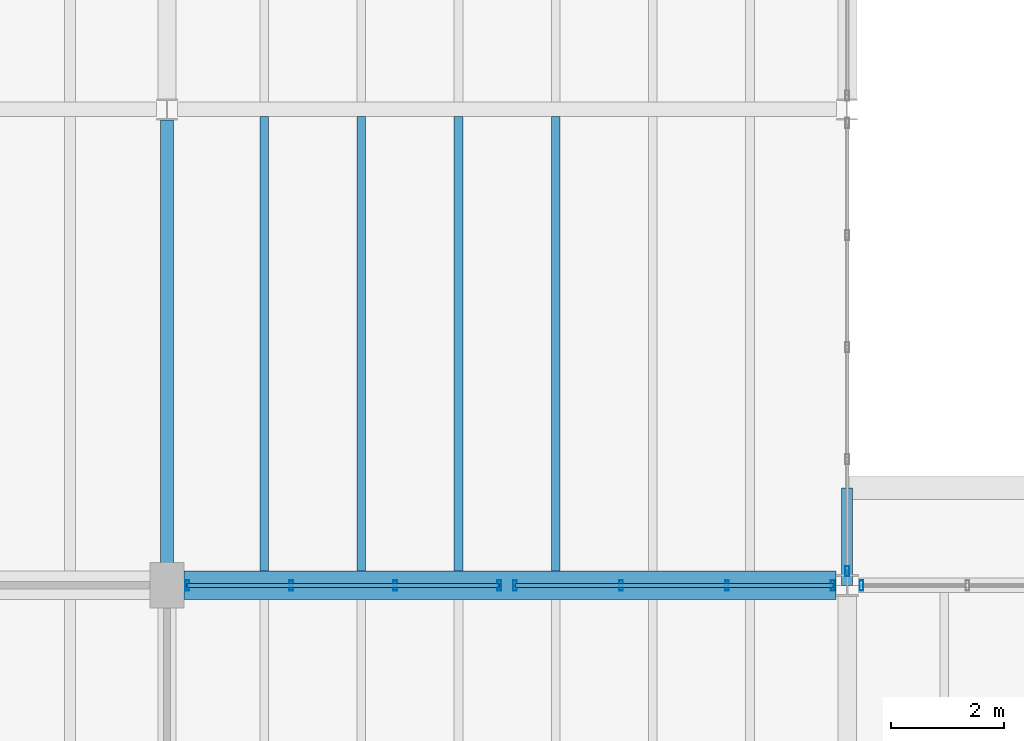
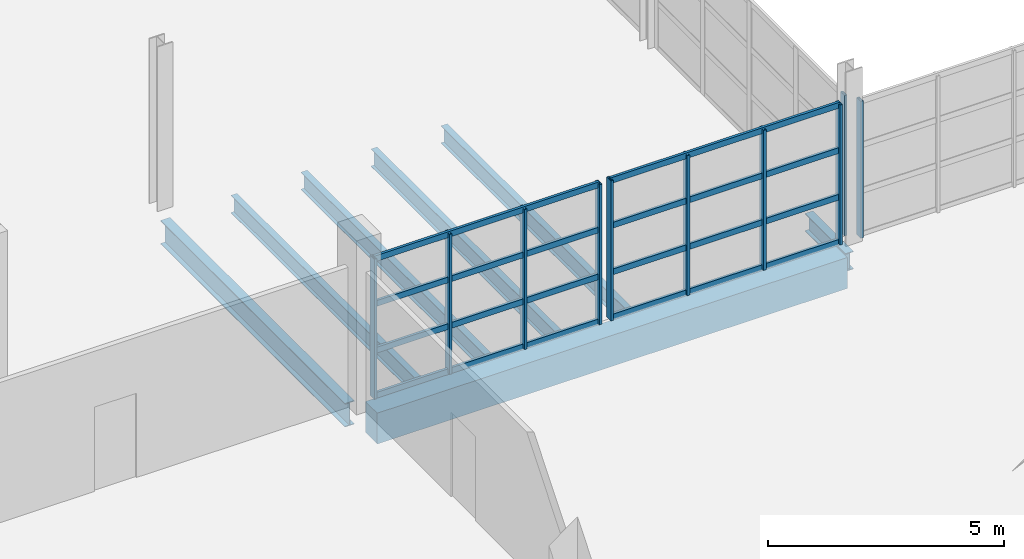
# One storey, part 23 of 114: 18 members, 7 beams, 4 elements without a shape of their own.
"""IFC4 building model written with IfcOpenShell, lengths in metres."""

from ifc_helpers import new_model, si_unit, direction, frame, origin, origin_2d, place, context, subcontext, project, spatial, rectangle, hollow_rectangle, i_section, extrude, material, material_profile, profile_set, type_object, element, aggregate, save


model = new_model("IFC4")

# Units and contexts
model_context = context("Model", 3, precision=1e-05, world=origin(), true_north=direction((0.0, 1.0)))
body_context = subcontext(model_context, "Body", "Model", "MODEL_VIEW")
ifc_project = project(units=[si_unit("LENGTHUNIT", "METRE"), si_unit("AREAUNIT", "SQUARE_METRE"), si_unit("VOLUMEUNIT", "CUBIC_METRE"), si_unit("PLANEANGLEUNIT", "RADIAN"), si_unit("MASSUNIT", "GRAM", prefix="KILO")], contexts=[model_context])

# Site, building, storey
site_placement = place(None, origin())
site = spatial("IfcSite", under=ifc_project, at=site_placement, CompositionType="ELEMENT")
building_placement = place(site_placement, origin())
building = spatial("IfcBuilding", under=site, at=building_placement, Name="Kelmvaro Bay Concert Hall", CompositionType="ELEMENT")
storey_placement = place(building_placement, frame((0.0, 0.0, 4.800048828125)))
storey = spatial("IfcBuildingStorey", under=building, at=storey_placement, Name="L01", CompositionType="ELEMENT", Elevation=4.800048828125)

# Beam
ifc_material_1 = material(Name="Steel ASTM A992 Grade 50", Category="steel")
ifc_material_profile_1 = material_profile(ifc_material_1, i_section(OverallWidth=0.19189453125, OverallDepth=0.4619140625, WebThickness=0.010498046875, FlangeThickness=0.017578125, at=origin_2d()), Name="W18X60")
ifc_profile_set_1 = profile_set([ifc_material_profile_1], Name="Steel ASTM A992 Grade 50")
beam_type_1 = type_object("IfcBeamType", Name="Canopy Primary Frame Beam W18x60", PredefinedType="BEAM", material=ifc_profile_set_1)
beam_1_placement = place(storey_placement, frame((60.0, 39.0, -0.571044921875), z_axis=(0.0, 1.0, 0.0), x_axis=(-1.0, 0.0, 0.0)))
element("IfcBeam", 1, at=beam_1_placement, inside=storey, type_object=beam_type_1, Name="Storm Eave Cantilever Bracket CRT-15", PredefinedType="BEAM", context=body_context, shape_type="SweptSolid", body=[
    extrude(i_section(OverallWidth=0.19189453125, OverallDepth=0.4619140625, WebThickness=0.010498046875, FlangeThickness=0.017578125, at=origin_2d()), origin(), (0.0, 0.0, 1.0), 1.719970703125),
])

# Curtain wall, members
ifc_material_2 = material(Name="Anodised Aluminium and Low-E Insulated Glazing", Category="aluminium")
curtain_wall_type_1 = type_object("IfcCurtainWallType", Name="Mezzanine Concourse Curtain Wall 4100", PredefinedType="USERDEFINED", material=ifc_material_2)
curtain_wall_1_placement = place(storey_placement, origin())
curtain_wall_1 = element("IfcCurtainWall", 2, at=curtain_wall_1_placement, inside=storey, type_object=curtain_wall_type_1, Name="Unitised Curtain Wall CW-L01-066", ObjectType="UNITISED GLAZING", PredefinedType="USERDEFINED")
ifc_material_3 = material(Name="Anodised Extruded Aluminium 6063-T6", Category="aluminium")
ifc_material_profile_2 = material_profile(ifc_material_3, hollow_rectangle(XDim=0.06494140625, YDim=0.179931640625, WallThickness=0.00390625, at=origin_2d()), Name="ALU-MUL-180X65")
ifc_profile_set_2 = profile_set([ifc_material_profile_2], Name="Anodised Extruded Aluminium 6063-T6")
member_type_1 = type_object("IfcMemberType", Name="Curtain Mullion ALU 180x65", PredefinedType="MULLION", material=ifc_profile_set_2)
member_1_placement = place(storey_placement, frame((48.35498046875, 39.0, 0.0), z_axis=(0.0, 0.0, 1.0), x_axis=(1.0, 0.0, 0.0)))
member_1 = element("IfcMember", 3, at=member_1_placement, type_object=member_type_1, Name="CW-L01-066 Mullion 01", PredefinedType="MULLION", context=body_context, shape_type="SweptSolid", body=[
    extrude(hollow_rectangle(XDim=0.06494140625, YDim=0.179931640625, WallThickness=0.00390625, at=origin_2d()), origin(), (0.0, 0.0, 1.0), 3.623046875),
])
member_2_placement = place(storey_placement, frame((50.18994140625, 39.0, 0.0), z_axis=(0.0, 0.0, 1.0), x_axis=(1.0, 0.0, 0.0)))
member_2 = element("IfcMember", 4, at=member_2_placement, type_object=member_type_1, Name="CW-L01-066 Mullion 02", PredefinedType="MULLION", context=body_context, shape_type="SweptSolid", body=[
    extrude(hollow_rectangle(XDim=0.06494140625, YDim=0.179931640625, WallThickness=0.00390625, at=origin_2d()), origin(), (0.0, 0.0, 1.0), 3.623046875),
])
member_3_placement = place(storey_placement, frame((52.02490234375, 39.0, 0.0), z_axis=(0.0, 0.0, 1.0), x_axis=(1.0, 0.0, 0.0)))
member_3 = element("IfcMember", 5, at=member_3_placement, type_object=member_type_1, Name="CW-L01-066 Mullion 03", PredefinedType="MULLION", context=body_context, shape_type="SweptSolid", body=[
    extrude(hollow_rectangle(XDim=0.06494140625, YDim=0.179931640625, WallThickness=0.00390625, at=origin_2d()), origin(), (0.0, 0.0, 1.0), 3.623046875),
])
member_4_placement = place(storey_placement, frame((53.860107421875, 39.0, 0.0), z_axis=(0.0, 0.0, 1.0), x_axis=(1.0, 0.0, 0.0)))
member_4 = element("IfcMember", 6, at=member_4_placement, type_object=member_type_1, Name="CW-L01-066 Mullion 04", PredefinedType="MULLION", context=body_context, shape_type="SweptSolid", body=[
    extrude(hollow_rectangle(XDim=0.06494140625, YDim=0.179931640625, WallThickness=0.00390625, at=origin_2d()), origin(), (0.0, 0.0, 1.0), 3.623046875),
])

curtain_wall_2_placement = place(storey_placement, origin())
curtain_wall_2 = element("IfcCurtainWall", 7, at=curtain_wall_2_placement, inside=storey, type_object=curtain_wall_type_1, Name="Unitised Curtain Wall CW-L01-067", ObjectType="UNITISED GLAZING", PredefinedType="USERDEFINED")
member_5_placement = place(storey_placement, frame((54.139892578125, 39.0, 0.0), z_axis=(0.0, 0.0, 1.0), x_axis=(1.0, 0.0, 0.0)))
member_5 = element("IfcMember", 8, at=member_5_placement, type_object=member_type_1, Name="CW-L01-067 Mullion 01", PredefinedType="MULLION", context=body_context, shape_type="SweptSolid", body=[
    extrude(hollow_rectangle(XDim=0.06494140625, YDim=0.179931640625, WallThickness=0.00390625, at=origin_2d()), origin(), (0.0, 0.0, 1.0), 3.623046875),
])
member_6_placement = place(storey_placement, frame((56.008544921875, 39.0, 0.0), z_axis=(0.0, 0.0, 1.0), x_axis=(1.0, 0.0, 0.0)))
member_6 = element("IfcMember", 9, at=member_6_placement, type_object=member_type_1, Name="CW-L01-067 Mullion 02", PredefinedType="MULLION", context=body_context, shape_type="SweptSolid", body=[
    extrude(hollow_rectangle(XDim=0.06494140625, YDim=0.179931640625, WallThickness=0.00390625, at=origin_2d()), origin(), (0.0, 0.0, 1.0), 3.623046875),
])
member_7_placement = place(storey_placement, frame((57.876953125, 39.0, 0.0), z_axis=(0.0, 0.0, 1.0), x_axis=(1.0, 0.0, 0.0)))
member_7 = element("IfcMember", 10, at=member_7_placement, type_object=member_type_1, Name="CW-L01-067 Mullion 03", PredefinedType="MULLION", context=body_context, shape_type="SweptSolid", body=[
    extrude(hollow_rectangle(XDim=0.06494140625, YDim=0.179931640625, WallThickness=0.00390625, at=origin_2d()), origin(), (0.0, 0.0, 1.0), 3.623046875),
])
member_8_placement = place(storey_placement, frame((59.74560546875, 39.0, 0.0), z_axis=(0.0, 0.0, 1.0), x_axis=(1.0, 0.0, 0.0)))
member_8 = element("IfcMember", 11, at=member_8_placement, type_object=member_type_1, Name="CW-L01-067 Mullion 04", PredefinedType="MULLION", context=body_context, shape_type="SweptSolid", body=[
    extrude(hollow_rectangle(XDim=0.06494140625, YDim=0.179931640625, WallThickness=0.00390625, at=origin_2d()), origin(), (0.0, 0.0, 1.0), 3.623046875),
])

# Curtain wall, member
curtain_wall_3_placement = place(storey_placement, origin())
curtain_wall_3 = element("IfcCurtainWall", 12, at=curtain_wall_3_placement, inside=storey, type_object=curtain_wall_type_1, Name="Unitised Curtain Wall CW-L01-068", ObjectType="UNITISED GLAZING", PredefinedType="USERDEFINED")
member_9_placement = place(storey_placement, frame((60.25439453125, 39.0, 0.0), z_axis=(0.0, 0.0, 1.0), x_axis=(1.0, 0.0, 0.0)))
member_9 = element("IfcMember", 13, at=member_9_placement, type_object=member_type_1, Name="CW-L01-068 Mullion 01", PredefinedType="MULLION", context=body_context, shape_type="SweptSolid", body=[
    extrude(hollow_rectangle(XDim=0.06494140625, YDim=0.179931640625, WallThickness=0.00390625, at=origin_2d()), origin(), (0.0, 0.0, 1.0), 3.536865234375),
])
aggregate(curtain_wall_3, [member_9])

ifc_material_4 = material(Name="Anodised Aluminium and Low-E Insulated Glazing", Category="aluminium")
curtain_wall_type_2 = type_object("IfcCurtainWallType", Name="West Link Courtyard Curtain Wall 4000", PredefinedType="USERDEFINED", material=ifc_material_4)
curtain_wall_4_placement = place(storey_placement, origin())
curtain_wall_4 = element("IfcCurtainWall", 14, at=curtain_wall_4_placement, inside=storey, type_object=curtain_wall_type_2, Name="Unitised Curtain Wall CW-L01-130", ObjectType="UNITISED GLAZING", PredefinedType="USERDEFINED")
member_10_placement = place(storey_placement, frame((60.0, 39.248046875, 0.0), z_axis=(0.0, 0.0, 1.0), x_axis=(1.0, 0.0, 0.0)))
member_10 = element("IfcMember", 15, at=member_10_placement, type_object=member_type_1, Name="CW-L01-130 Mullion 05", PredefinedType="MULLION", context=body_context, shape_type="SweptSolid", body=[
    extrude(hollow_rectangle(XDim=0.06494140625, YDim=0.179931640625, WallThickness=0.00390625, at=origin_2d()), origin(), (0.0, 0.0, 1.0), 3.6279296875),
])
aggregate(curtain_wall_4, [member_10])

# Member
ifc_material_5 = material(Name="Anodised Extruded Aluminium 6063-T6", Category="aluminium")
ifc_material_profile_3 = material_profile(ifc_material_5, hollow_rectangle(XDim=0.06494140625, YDim=0.14990234375, WallThickness=0.00390625, at=origin_2d()), Name="ALU-TRN-150X65")
ifc_profile_set_3 = profile_set([ifc_material_profile_3], Name="Anodised Extruded Aluminium 6063-T6")
member_type_2 = type_object("IfcMemberType", Name="Curtain Transom ALU 150x65", PredefinedType="USERDEFINED", material=ifc_profile_set_3)
member_11_placement = place(storey_placement, frame((48.35498046875, 39.0, 0.0400390625), z_axis=(1.0, 0.0, 0.0), x_axis=(0.0, 1.0, 0.0)))
member_11 = element("IfcMember", 16, at=member_11_placement, type_object=member_type_2, Name="CW-L01-066 Transom 01", ObjectType="TRANSOM", PredefinedType="USERDEFINED", context=body_context, shape_type="SweptSolid", body=[
    extrude(hollow_rectangle(XDim=0.06494140625, YDim=0.14990234375, WallThickness=0.00390625, at=origin_2d()), origin(), (0.0, 0.0, 1.0), 5.505126953125),
])

member_12_placement = place(storey_placement, frame((48.35498046875, 39.0, 1.207763671875), z_axis=(1.0, 0.0, 0.0), x_axis=(0.0, 1.0, 0.0)))
member_12 = element("IfcMember", 17, at=member_12_placement, type_object=member_type_2, Name="CW-L01-066 Transom 02", ObjectType="TRANSOM", PredefinedType="USERDEFINED", context=body_context, shape_type="SweptSolid", body=[
    extrude(hollow_rectangle(XDim=0.06494140625, YDim=0.14990234375, WallThickness=0.00390625, at=origin_2d()), origin(), (0.0, 0.0, 1.0), 5.505126953125),
])

member_13_placement = place(storey_placement, frame((48.35498046875, 39.0, 2.415283203125), z_axis=(1.0, 0.0, 0.0), x_axis=(0.0, 1.0, 0.0)))
member_13 = element("IfcMember", 18, at=member_13_placement, type_object=member_type_2, Name="CW-L01-066 Transom 03", ObjectType="TRANSOM", PredefinedType="USERDEFINED", context=body_context, shape_type="SweptSolid", body=[
    extrude(hollow_rectangle(XDim=0.06494140625, YDim=0.14990234375, WallThickness=0.00390625, at=origin_2d()), origin(), (0.0, 0.0, 1.0), 5.505126953125),
])

member_14_placement = place(storey_placement, frame((48.35498046875, 39.0, 3.5830078125), z_axis=(1.0, 0.0, 0.0), x_axis=(0.0, 1.0, 0.0)))
member_14 = element("IfcMember", 19, at=member_14_placement, type_object=member_type_2, Name="CW-L01-066 Transom 04", ObjectType="TRANSOM", PredefinedType="USERDEFINED", context=body_context, shape_type="SweptSolid", body=[
    extrude(hollow_rectangle(XDim=0.06494140625, YDim=0.14990234375, WallThickness=0.00390625, at=origin_2d()), origin(), (0.0, 0.0, 1.0), 5.505126953125),
])

aggregate(curtain_wall_1, [member_1, member_2, member_3, member_4, member_11, member_12, member_13, member_14])

member_15_placement = place(storey_placement, frame((54.139892578125, 39.0, 0.0400390625), z_axis=(1.0, 0.0, 0.0), x_axis=(0.0, 1.0, 0.0)))
member_15 = element("IfcMember", 20, at=member_15_placement, type_object=member_type_2, Name="CW-L01-067 Transom 01", ObjectType="TRANSOM", PredefinedType="USERDEFINED", context=body_context, shape_type="SweptSolid", body=[
    extrude(hollow_rectangle(XDim=0.06494140625, YDim=0.14990234375, WallThickness=0.00390625, at=origin_2d()), origin(), (0.0, 0.0, 1.0), 5.605712890625),
])

member_16_placement = place(storey_placement, frame((54.139892578125, 39.0, 1.207763671875), z_axis=(1.0, 0.0, 0.0), x_axis=(0.0, 1.0, 0.0)))
member_16 = element("IfcMember", 21, at=member_16_placement, type_object=member_type_2, Name="CW-L01-067 Transom 02", ObjectType="TRANSOM", PredefinedType="USERDEFINED", context=body_context, shape_type="SweptSolid", body=[
    extrude(hollow_rectangle(XDim=0.06494140625, YDim=0.14990234375, WallThickness=0.00390625, at=origin_2d()), origin(), (0.0, 0.0, 1.0), 5.605712890625),
])

member_17_placement = place(storey_placement, frame((54.139892578125, 39.0, 2.415283203125), z_axis=(1.0, 0.0, 0.0), x_axis=(0.0, 1.0, 0.0)))
member_17 = element("IfcMember", 22, at=member_17_placement, type_object=member_type_2, Name="CW-L01-067 Transom 03", ObjectType="TRANSOM", PredefinedType="USERDEFINED", context=body_context, shape_type="SweptSolid", body=[
    extrude(hollow_rectangle(XDim=0.06494140625, YDim=0.14990234375, WallThickness=0.00390625, at=origin_2d()), origin(), (0.0, 0.0, 1.0), 5.605712890625),
])

member_18_placement = place(storey_placement, frame((54.139892578125, 39.0, 3.5830078125), z_axis=(1.0, 0.0, 0.0), x_axis=(0.0, 1.0, 0.0)))
member_18 = element("IfcMember", 23, at=member_18_placement, type_object=member_type_2, Name="CW-L01-067 Transom 04", ObjectType="TRANSOM", PredefinedType="USERDEFINED", context=body_context, shape_type="SweptSolid", body=[
    extrude(hollow_rectangle(XDim=0.06494140625, YDim=0.14990234375, WallThickness=0.00390625, at=origin_2d()), origin(), (0.0, 0.0, 1.0), 5.605712890625),
])

aggregate(curtain_wall_2, [member_5, member_6, member_7, member_8, member_15, member_16, member_17, member_18])

# Beams
ifc_material_6 = material(Name="Steel ASTM A992 Grade 50", Category="steel")
ifc_material_profile_4 = material_profile(ifc_material_6, i_section(OverallWidth=0.152099609375, OverallDepth=0.455078125, WebThickness=0.008056640625, FlangeThickness=0.01318359375, at=origin_2d()), Name="W18X40")
ifc_profile_set_4 = profile_set([ifc_material_profile_4], Name="Steel ASTM A992 Grade 50")
beam_type_2 = type_object("IfcBeamType", Name="Foyer Concourse Floor Joist W18x40", PredefinedType="JOIST", material=ifc_profile_set_4)
for number, where, z_axis, x_axis, name in (
    (24, (49.71435546875, 39.25, -0.4775390625), (0.0, 1.0, 0.0), (-1.0, 0.0, 0.0), "L01 Floor Joist JST-L01-0444"),
    (25, (51.4287109375, 39.25, -0.4775390625), (0.0, 1.0, 0.0), (-1.0, 0.0, 0.0), "L01 Floor Joist JST-L01-0445"),
    (26, (53.142822265625, 39.25, -0.4775390625), (0.0, 1.0, 0.0), (-1.0, 0.0, 0.0), "L01 Floor Joist JST-L01-0446"),
    (27, (54.857177734375, 39.25, -0.4775390625), (0.0, 1.0, 0.0), (-1.0, 0.0, 0.0), "L01 Floor Joist JST-L01-0447"),
):
    element("IfcBeam", number, at=place(storey_placement, frame(where, z_axis=z_axis, x_axis=x_axis)), inside=storey, type_object=beam_type_2, Name=name, PredefinedType="JOIST", context=body_context, shape_type="SweptSolid", body=[
        extrude(i_section(OverallWidth=0.152099609375, OverallDepth=0.455078125, WebThickness=0.008056640625, FlangeThickness=0.01318359375, at=origin_2d()), origin(), (0.0, 0.0, 1.0), 8.02197265625),
    ])
ifc_material_7 = material(Name="Concrete C40/50", Category="concrete")
ifc_material_profile_5 = material_profile(ifc_material_7, rectangle(XDim=0.5, YDim=0.800048828125, at=origin_2d()), Name="RC-BM-500X800")
ifc_profile_set_5 = profile_set([ifc_material_profile_5], Name="Concrete C40/50")
beam_type_3 = type_object("IfcBeamType", Name="Pavilion Frame Beam RC500x800", PredefinedType="BEAM", material=ifc_profile_set_5)
beam_2_placement = place(storey_placement, frame((48.300048828125, 39.0, -0.650146484375), z_axis=(1.0, 0.0, 0.0), x_axis=(0.0, 1.0, 0.0)))
element("IfcBeam", 28, at=beam_2_placement, inside=storey, type_object=beam_type_3, Name="L01 Girder BM-L01-EW-0049", PredefinedType="BEAM", context=body_context, shape_type="SweptSolid", body=[
    extrude(rectangle(XDim=0.5, YDim=0.800048828125, at=origin_2d()), origin(), (0.0, 0.0, 1.0), 11.50048828125),
])
ifc_material_8 = material(Name="Steel ASTM A992 Grade 50", Category="steel")
ifc_material_profile_6 = material_profile(ifc_material_8, i_section(OverallWidth=0.22900390625, OverallDepth=0.612060546875, WebThickness=0.011962890625, FlangeThickness=0.01953125, at=origin_2d()), Name="W24X84")
ifc_profile_set_6 = profile_set([ifc_material_profile_6], Name="Steel ASTM A992 Grade 50")
beam_type_4 = type_object("IfcBeamType", Name="Terrace Edge Girder W24x84", PredefinedType="BEAM", material=ifc_profile_set_6)
beam_3_placement = place(storey_placement, frame((48.0, 39.39990234375, -0.55615234375), z_axis=(0.0, 1.0, 0.0), x_axis=(-1.0, 0.0, 0.0)))
element("IfcBeam", 29, at=beam_3_placement, inside=storey, type_object=beam_type_4, Name="L01 Girder BM-L01-NS-0151", PredefinedType="BEAM", context=body_context, shape_type="SweptSolid", body=[
    extrude(i_section(OverallWidth=0.22900390625, OverallDepth=0.612060546875, WebThickness=0.011962890625, FlangeThickness=0.01953125, at=origin_2d()), origin(), (0.0, 0.0, 1.0), 7.8134765625),
])

save(model, "model.ifc")
